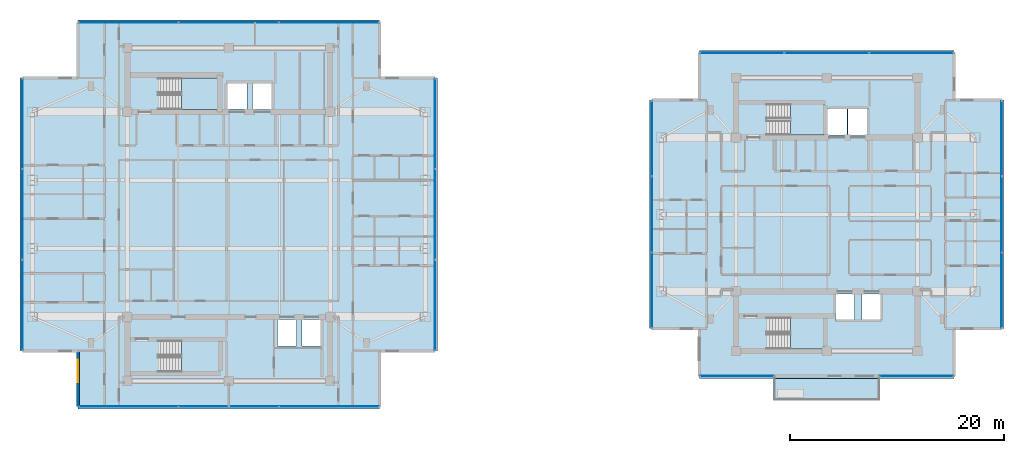
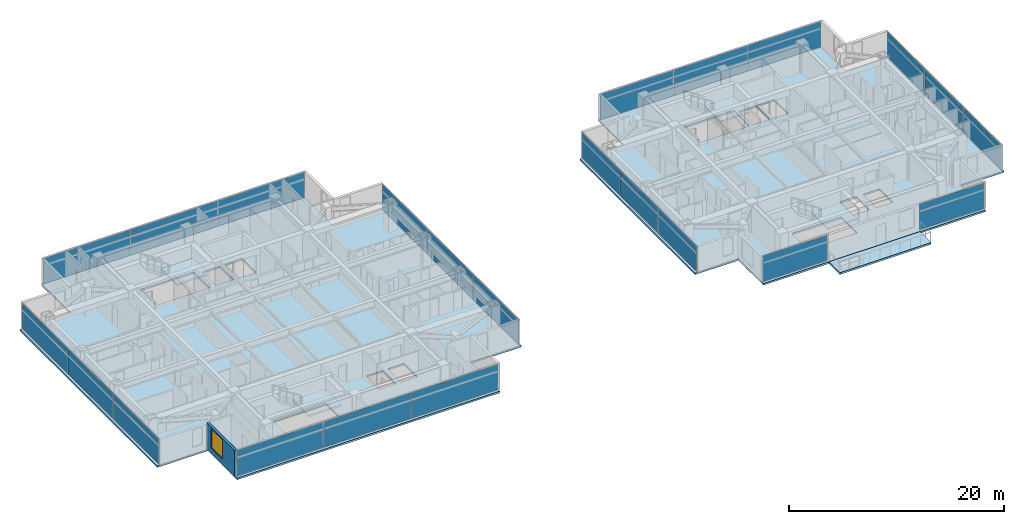
# One storey, part 10 of 23: 23 plates, 7 slabs, 1 wall, 1 window, 1 opening, 13 elements without a shape of their own.
"""IFC4 building model written with IfcOpenShell, lengths in metres."""

from ifc_helpers import new_model, si_unit, direction, frame, frame_2d, origin, origin_2d, place, context, subcontext, project, spatial, polyline, rectangle, outline, extrude, material, layer, layer_set, type_object, element, fill, aggregate, save


model = new_model("IFC4")

# Units and contexts
model_context = context("Model", 3, precision=1e-05, world=origin(), true_north=direction((0.0, 1.0)))
body_context = subcontext(model_context, "Body", "Model", "MODEL_VIEW")
ifc_project = project(units=[si_unit("LENGTHUNIT", "METRE"), si_unit("AREAUNIT", "SQUARE_METRE"), si_unit("VOLUMEUNIT", "CUBIC_METRE"), si_unit("PLANEANGLEUNIT", "RADIAN"), si_unit("MASSUNIT", "GRAM", prefix="KILO")], contexts=[model_context])

# Site, building, storey
site_placement = place(None, origin())
site = spatial("IfcSite", under=ifc_project, at=site_placement, CompositionType="ELEMENT")
building_placement = place(site_placement, origin())
building = spatial("IfcBuilding", under=site, at=building_placement, Name="Mirazonda Arch Towers", CompositionType="ELEMENT")
storey_placement = place(building_placement, frame((0.0, 0.0, 183.64990234375)))
storey = spatial("IfcBuildingStorey", under=building, at=storey_placement, Name="L52", CompositionType="ELEMENT", Elevation=183.64990234375)

# Curtain wall, plates
ifc_material_1 = material(Name="Anodised Aluminium and Low-E Glass", Category="aluminium")
curtain_wall_type = type_object("IfcCurtainWallType", Name="CW-RES-UNIT", PredefinedType="NOTDEFINED", material=ifc_material_1)
curtain_wall_1_placement = place(storey_placement, origin())
curtain_wall_1 = element("IfcCurtainWall", 1, at=curtain_wall_1_placement, inside=storey, type_object=curtain_wall_type, Name="L52 T1 S Facade CW-L52-T1-S", PredefinedType="NOTDEFINED")
ifc_material_2 = material(Name="Insulated Low-E Solar Glass", Category="glass")
ifc_layer_1 = layer(ifc_material_2, 0.0400390625, Name="PAN-CW-RES-UNIT")
ifc_layer_set_1 = layer_set([ifc_layer_1], Name="Insulated Low-E Solar Glass")
plate_type = type_object("IfcPlateType", Name="PAN-CW-RES-UNIT", PredefinedType="CURTAIN_PANEL", material=ifc_layer_set_1)
plate_1_placement = place(storey_placement, frame((29.891357421875, 10.010009765625, 0.0751953125), z_axis=(0.0, 0.0, 1.0), x_axis=(-1.0, 0.0, 0.0)))
plate_1 = element("IfcPlate", 2, at=plate_1_placement, type_object=plate_type, Name="CW-104 panel 1.1", PredefinedType="CURTAIN_PANEL", context=body_context, shape_type="SweptSolid", body=[
    extrude(rectangle(XDim=9.297607421875, YDim=0.0400390625, at=origin_2d()), origin(), (0.0, 0.0, 1.0), 2.8798828125),
])
plate_2_placement = place(storey_placement, frame((20.5, 10.010009765625, 0.0751953125), z_axis=(0.0, 0.0, 1.0), x_axis=(-1.0, 0.0, 0.0)))
plate_2 = element("IfcPlate", 3, at=plate_2_placement, type_object=plate_type, Name="CW-104 panel 2.1", PredefinedType="CURTAIN_PANEL", context=body_context, shape_type="SweptSolid", body=[
    extrude(rectangle(XDim=9.3349609375, YDim=0.0400390625, at=origin_2d()), origin(), (0.0, 0.0, 1.0), 2.8798828125),
])
plate_3_placement = place(storey_placement, frame((11.108642578125, 10.010009765625, 0.0751953125), z_axis=(0.0, 0.0, 1.0), x_axis=(-1.0, 0.0, 0.0)))
plate_3 = element("IfcPlate", 4, at=plate_3_placement, type_object=plate_type, Name="CW-104 panel 3.1", PredefinedType="CURTAIN_PANEL", context=body_context, shape_type="SweptSolid", body=[
    extrude(rectangle(XDim=9.297607421875, YDim=0.0400390625, at=origin_2d()), origin(), (0.0, 0.0, 1.0), 2.8798828125),
])
aggregate(curtain_wall_1, [plate_1, plate_2, plate_3])

curtain_wall_2_placement = place(storey_placement, origin())
curtain_wall_2 = element("IfcCurtainWall", 5, at=curtain_wall_2_placement, inside=storey, type_object=curtain_wall_type, Name="L52 T1 E Facade CW-L52-T1-E", PredefinedType="NOTDEFINED")
plate_4_placement = place(storey_placement, frame((39.830078125, 19.502197265625, 0.0751953125), z_axis=(0.0, 0.0, 1.0), x_axis=(0.0, 1.0, 0.0)))
plate_4 = element("IfcPlate", 6, at=plate_4_placement, type_object=plate_type, Name="CW-104 panel 1.1", PredefinedType="CURTAIN_PANEL", context=body_context, shape_type="SweptSolid", body=[
    extrude(rectangle(XDim=8.404052734375, YDim=0.0400390625, at=origin_2d()), origin(), (0.0, 0.0, 1.0), 2.8798828125),
])
plate_5_placement = place(storey_placement, frame((39.830078125, 28.0, 0.0751953125), z_axis=(0.0, 0.0, 1.0), x_axis=(0.0, 1.0, 0.0)))
plate_5 = element("IfcPlate", 7, at=plate_5_placement, type_object=plate_type, Name="CW-104 panel 2.1", PredefinedType="CURTAIN_PANEL", context=body_context, shape_type="SweptSolid", body=[
    extrude(rectangle(XDim=8.441650390625, YDim=0.0400390625, at=origin_2d()), origin(), (0.0, 0.0, 1.0), 2.8798828125),
])
plate_6_placement = place(storey_placement, frame((39.830078125, 36.497802734375, 0.0751953125), z_axis=(0.0, 0.0, 1.0), x_axis=(0.0, 1.0, 0.0)))
plate_6 = element("IfcPlate", 8, at=plate_6_placement, type_object=plate_type, Name="CW-104 panel 3.1", PredefinedType="CURTAIN_PANEL", context=body_context, shape_type="SweptSolid", body=[
    extrude(rectangle(XDim=8.404052734375, YDim=0.0400390625, at=origin_2d()), origin(), (0.0, 0.0, 1.0), 2.8798828125),
])
aggregate(curtain_wall_2, [plate_4, plate_5, plate_6])

curtain_wall_3_placement = place(storey_placement, origin())
curtain_wall_3 = element("IfcCurtainWall", 9, at=curtain_wall_3_placement, inside=storey, type_object=curtain_wall_type, Name="L52 T1 N Facade CW-L52-T1-N", PredefinedType="NOTDEFINED")
plate_7_placement = place(storey_placement, frame((11.108642578125, 45.989990234375, 0.0751953125), z_axis=(0.0, 0.0, 1.0), x_axis=(1.0, 0.0, 0.0)))
plate_7 = element("IfcPlate", 10, at=plate_7_placement, type_object=plate_type, Name="CW-104 panel 1.1", PredefinedType="CURTAIN_PANEL", context=body_context, shape_type="SweptSolid", body=[
    extrude(rectangle(XDim=9.297607421875, YDim=0.0400390625, at=origin_2d()), origin(), (0.0, 0.0, 1.0), 2.8798828125),
])
plate_8_placement = place(storey_placement, frame((20.5, 45.989990234375, 0.0751953125), z_axis=(0.0, 0.0, 1.0), x_axis=(1.0, 0.0, 0.0)))
plate_8 = element("IfcPlate", 11, at=plate_8_placement, type_object=plate_type, Name="CW-104 panel 2.1", PredefinedType="CURTAIN_PANEL", context=body_context, shape_type="SweptSolid", body=[
    extrude(rectangle(XDim=9.3349609375, YDim=0.0400390625, at=origin_2d()), origin(), (0.0, 0.0, 1.0), 2.8798828125),
])
plate_9_placement = place(storey_placement, frame((29.891357421875, 45.989990234375, 0.0751953125), z_axis=(0.0, 0.0, 1.0), x_axis=(1.0, 0.0, 0.0)))
plate_9 = element("IfcPlate", 12, at=plate_9_placement, type_object=plate_type, Name="CW-104 panel 3.1", PredefinedType="CURTAIN_PANEL", context=body_context, shape_type="SweptSolid", body=[
    extrude(rectangle(XDim=9.297607421875, YDim=0.0400390625, at=origin_2d()), origin(), (0.0, 0.0, 1.0), 2.8798828125),
])
aggregate(curtain_wall_3, [plate_7, plate_8, plate_9])

curtain_wall_4_placement = place(storey_placement, origin())
curtain_wall_4 = element("IfcCurtainWall", 13, at=curtain_wall_4_placement, inside=storey, type_object=curtain_wall_type, Name="L52 T1 W Facade CW-L52-T1-W", PredefinedType="NOTDEFINED")
plate_10_placement = place(storey_placement, frame((1.169921875, 36.497802734375, 0.0751953125), z_axis=(0.0, 0.0, 1.0), x_axis=(0.0, -1.0, 0.0)))
plate_10 = element("IfcPlate", 14, at=plate_10_placement, type_object=plate_type, Name="CW-104 panel 1.1", PredefinedType="CURTAIN_PANEL", context=body_context, shape_type="SweptSolid", body=[
    extrude(rectangle(XDim=8.404052734375, YDim=0.0400390625, at=origin_2d()), origin(), (0.0, 0.0, 1.0), 2.8798828125),
])
plate_11_placement = place(storey_placement, frame((1.169921875, 28.0, 0.0751953125), z_axis=(0.0, 0.0, 1.0), x_axis=(0.0, -1.0, 0.0)))
plate_11 = element("IfcPlate", 15, at=plate_11_placement, type_object=plate_type, Name="CW-104 panel 2.1", PredefinedType="CURTAIN_PANEL", context=body_context, shape_type="SweptSolid", body=[
    extrude(rectangle(XDim=8.441650390625, YDim=0.0400390625, at=origin_2d()), origin(), (0.0, 0.0, 1.0), 2.8798828125),
])
plate_12_placement = place(storey_placement, frame((1.169921875, 19.502197265625, 0.0751953125), z_axis=(0.0, 0.0, 1.0), x_axis=(0.0, -1.0, 0.0)))
plate_12 = element("IfcPlate", 16, at=plate_12_placement, type_object=plate_type, Name="CW-104 panel 3.1", PredefinedType="CURTAIN_PANEL", context=body_context, shape_type="SweptSolid", body=[
    extrude(rectangle(XDim=8.404052734375, YDim=0.0400390625, at=origin_2d()), origin(), (0.0, 0.0, 1.0), 2.8798828125),
])
aggregate(curtain_wall_4, [plate_10, plate_11, plate_12])

# Curtain wall, plate
curtain_wall_5_placement = place(storey_placement, origin())
curtain_wall_5 = element("IfcCurtainWall", 17, at=curtain_wall_5_placement, inside=storey, type_object=curtain_wall_type, Name="L52 Curtain Wall CW-L52-T2-SA", PredefinedType="NOTDEFINED")
plate_13_placement = place(storey_placement, frame((84.913818359375, 12.861572265625, 0.0751953125), z_axis=(0.0, 0.0, 1.0), x_axis=(-1.0, 0.0, 0.0)))
plate_13 = element("IfcPlate", 18, at=plate_13_placement, type_object=plate_type, Name="CW-104 panel 1.1", PredefinedType="CURTAIN_PANEL", context=body_context, shape_type="SweptSolid", body=[
    extrude(rectangle(XDim=6.897705078125, YDim=0.0400390625, at=origin_2d()), origin(), (0.0, 0.0, 1.0), 2.8798828125),
])
aggregate(curtain_wall_5, [plate_13])

curtain_wall_6_placement = place(storey_placement, origin())
curtain_wall_6 = element("IfcCurtainWall", 19, at=curtain_wall_6_placement, inside=storey, type_object=curtain_wall_type, Name="L52 Curtain Wall CW-L52-T2-SB", PredefinedType="NOTDEFINED")
plate_14_placement = place(storey_placement, frame((68.086181640625, 12.861572265625, 0.0751953125), z_axis=(0.0, 0.0, 1.0), x_axis=(-1.0, 0.0, 0.0)))
plate_14 = element("IfcPlate", 20, at=plate_14_placement, type_object=plate_type, Name="CW-104 panel 1.1", PredefinedType="CURTAIN_PANEL", context=body_context, shape_type="SweptSolid", body=[
    extrude(rectangle(XDim=6.897705078125, YDim=0.0400390625, at=origin_2d()), origin(), (0.0, 0.0, 1.0), 2.8798828125),
])
aggregate(curtain_wall_6, [plate_14])

# Curtain wall, plates
curtain_wall_7_placement = place(storey_placement, origin())
curtain_wall_7 = element("IfcCurtainWall", 21, at=curtain_wall_7_placement, inside=storey, type_object=curtain_wall_type, Name="L52 T2 E Facade CW-L52-T2-E", PredefinedType="NOTDEFINED")
plate_15_placement = place(storey_placement, frame((92.87744140625, 20.88623046875, 0.0751953125), z_axis=(0.0, 0.0, 1.0), x_axis=(0.0, 1.0, 0.0)))
plate_15 = element("IfcPlate", 22, at=plate_15_placement, type_object=plate_type, Name="CW-104 panel 1.1", PredefinedType="CURTAIN_PANEL", context=body_context, shape_type="SweptSolid", body=[
    extrude(rectangle(XDim=7.02001953125, YDim=0.0400390625, at=origin_2d()), origin(), (0.0, 0.0, 1.0), 2.8798828125),
])
plate_16_placement = place(storey_placement, frame((92.87744140625, 28.0, 0.0751953125), z_axis=(0.0, 0.0, 1.0), x_axis=(0.0, 1.0, 0.0)))
plate_16 = element("IfcPlate", 23, at=plate_16_placement, type_object=plate_type, Name="CW-104 panel 2.1", PredefinedType="CURTAIN_PANEL", context=body_context, shape_type="SweptSolid", body=[
    extrude(rectangle(XDim=7.0576171875, YDim=0.0400390625, at=origin_2d()), origin(), (0.0, 0.0, 1.0), 2.8798828125),
])
plate_17_placement = place(storey_placement, frame((92.87744140625, 35.11376953125, 0.0751953125), z_axis=(0.0, 0.0, 1.0), x_axis=(0.0, 1.0, 0.0)))
plate_17 = element("IfcPlate", 24, at=plate_17_placement, type_object=plate_type, Name="CW-104 panel 3.1", PredefinedType="CURTAIN_PANEL", context=body_context, shape_type="SweptSolid", body=[
    extrude(rectangle(XDim=7.02001953125, YDim=0.0400390625, at=origin_2d()), origin(), (0.0, 0.0, 1.0), 2.8798828125),
])
aggregate(curtain_wall_7, [plate_15, plate_16, plate_17])

curtain_wall_8_placement = place(storey_placement, origin())
curtain_wall_8 = element("IfcCurtainWall", 25, at=curtain_wall_8_placement, inside=storey, type_object=curtain_wall_type, Name="L52 T2 N Facade CW-L52-T2-N", PredefinedType="NOTDEFINED")
plate_18_placement = place(storey_placement, frame((68.560302734375, 43.138427734375, 0.0751953125), z_axis=(0.0, 0.0, 1.0), x_axis=(1.0, 0.0, 0.0)))
plate_18 = element("IfcPlate", 26, at=plate_18_placement, type_object=plate_type, Name="CW-104 panel 1.1", PredefinedType="CURTAIN_PANEL", context=body_context, shape_type="SweptSolid", body=[
    extrude(rectangle(XDim=7.845947265625, YDim=0.0400390625, at=origin_2d()), origin(), (0.0, 0.0, 1.0), 2.8798828125),
])
plate_19_placement = place(storey_placement, frame((76.5, 43.138427734375, 0.0751953125), z_axis=(0.0, 0.0, 1.0), x_axis=(1.0, 0.0, 0.0)))
plate_19 = element("IfcPlate", 27, at=plate_19_placement, type_object=plate_type, Name="CW-104 panel 2.1", PredefinedType="CURTAIN_PANEL", context=body_context, shape_type="SweptSolid", body=[
    extrude(rectangle(XDim=7.883544921875, YDim=0.0400390625, at=origin_2d()), origin(), (0.0, 0.0, 1.0), 2.8798828125),
])
plate_20_placement = place(storey_placement, frame((84.439697265625, 43.138427734375, 0.0751953125), z_axis=(0.0, 0.0, 1.0), x_axis=(1.0, 0.0, 0.0)))
plate_20 = element("IfcPlate", 28, at=plate_20_placement, type_object=plate_type, Name="CW-104 panel 3.1", PredefinedType="CURTAIN_PANEL", context=body_context, shape_type="SweptSolid", body=[
    extrude(rectangle(XDim=7.845947265625, YDim=0.0400390625, at=origin_2d()), origin(), (0.0, 0.0, 1.0), 2.8798828125),
])
aggregate(curtain_wall_8, [plate_18, plate_19, plate_20])

curtain_wall_9_placement = place(storey_placement, origin())
curtain_wall_9 = element("IfcCurtainWall", 29, at=curtain_wall_9_placement, inside=storey, type_object=curtain_wall_type, Name="L52 T2 W Facade CW-L52-T2-W", PredefinedType="NOTDEFINED")
plate_21_placement = place(storey_placement, frame((60.12255859375, 35.11376953125, 0.0751953125), z_axis=(0.0, 0.0, 1.0), x_axis=(0.0, -1.0, 0.0)))
plate_21 = element("IfcPlate", 30, at=plate_21_placement, type_object=plate_type, Name="CW-104 panel 1.1", PredefinedType="CURTAIN_PANEL", context=body_context, shape_type="SweptSolid", body=[
    extrude(rectangle(XDim=7.02001953125, YDim=0.0400390625, at=origin_2d()), origin(), (0.0, 0.0, 1.0), 2.8798828125),
])
plate_22_placement = place(storey_placement, frame((60.12255859375, 28.0, 0.0751953125), z_axis=(0.0, 0.0, 1.0), x_axis=(0.0, -1.0, 0.0)))
plate_22 = element("IfcPlate", 31, at=plate_22_placement, type_object=plate_type, Name="CW-104 panel 2.1", PredefinedType="CURTAIN_PANEL", context=body_context, shape_type="SweptSolid", body=[
    extrude(rectangle(XDim=7.0576171875, YDim=0.0400390625, at=origin_2d()), origin(), (0.0, 0.0, 1.0), 2.8798828125),
])
plate_23_placement = place(storey_placement, frame((60.12255859375, 20.88623046875, 0.0751953125), z_axis=(0.0, 0.0, 1.0), x_axis=(0.0, -1.0, 0.0)))
plate_23 = element("IfcPlate", 32, at=plate_23_placement, type_object=plate_type, Name="CW-104 panel 3.1", PredefinedType="CURTAIN_PANEL", context=body_context, shape_type="SweptSolid", body=[
    extrude(rectangle(XDim=7.02001953125, YDim=0.0400390625, at=origin_2d()), origin(), (0.0, 0.0, 1.0), 2.8798828125),
])
aggregate(curtain_wall_9, [plate_21, plate_22, plate_23])

# Stair, slab
ifc_material_3 = material(Name="Concrete C40/50", Category="concrete")
stair_type = type_object("IfcStairType", Name="STAIR-CORE-1400", PredefinedType="HALF_TURN_STAIR", material=ifc_material_3)
stair_1_placement = place(storey_placement, origin())
stair_1 = element("IfcStair", 33, at=stair_1_placement, inside=storey, type_object=stair_type, Name="L52 Protected Exit Stair ST-T1N", PredefinedType="HALF_TURN_STAIR")
ifc_layer_2 = layer(ifc_material_3, 0.18994140625, Name="SLAB-LANDING-190")
ifc_layer_set_2 = layer_set([ifc_layer_2], Name="Concrete C40/50")
slab_type_1 = type_object("IfcSlabType", Name="SLAB-LANDING-190", PredefinedType="LANDING", material=ifc_layer_set_2)
slab_1_placement = place(storey_placement, frame((0.0, 0.0, 1.425048828125)))
slab_1 = element("IfcSlab", 34, at=slab_1_placement, type_object=slab_type_1, Name="ST-T1N landing 1", PredefinedType="LANDING", context=body_context, shape_type="SweptSolid", body=[
    extrude(outline(polyline([(16.090087890625, 37.820068359375), (19.60009765625, 37.820068359375), (19.60009765625, 40.760009765625), (16.090087890625, 40.760009765625), (16.090087890625, 37.820068359375)])), origin(), (0.0, 0.0, 1.0), 0.199951171875),
])
aggregate(stair_1, [slab_1])

stair_2_placement = place(storey_placement, origin())
stair_2 = element("IfcStair", 35, at=stair_2_placement, inside=storey, type_object=stair_type, Name="L52 Protected Exit Stair ST-T1S", PredefinedType="HALF_TURN_STAIR")
slab_2_placement = place(storey_placement, frame((0.0, 0.0, 1.425048828125)))
slab_2 = element("IfcSlab", 36, at=slab_2_placement, type_object=slab_type_1, Name="ST-T1S landing 1", PredefinedType="LANDING", context=body_context, shape_type="SweptSolid", body=[
    extrude(outline(polyline([(16.090087890625, 13.25), (19.60009765625, 13.25), (19.60009765625, 16.18994140625), (16.090087890625, 16.18994140625), (16.090087890625, 13.25)])), origin(), (0.0, 0.0, 1.0), 0.199951171875),
])
aggregate(stair_2, [slab_2])

stair_3_placement = place(storey_placement, origin())
stair_3 = element("IfcStair", 37, at=stair_3_placement, inside=storey, type_object=stair_type, Name="L52 Protected Exit Stair ST-T2N", PredefinedType="HALF_TURN_STAIR")
slab_3_placement = place(storey_placement, frame((0.0, 0.0, 1.425048828125)))
slab_3 = element("IfcSlab", 38, at=slab_3_placement, type_object=slab_type_1, Name="ST-T2N landing 1", PredefinedType="LANDING", context=body_context, shape_type="SweptSolid", body=[
    extrude(outline(polyline([(73.090087890625, 35.419921875), (76.22998046875, 35.419921875), (76.22998046875, 38.360107421875), (73.090087890625, 38.360107421875), (73.090087890625, 35.419921875)])), origin(), (0.0, 0.0, 1.0), 0.199951171875),
])
aggregate(stair_3, [slab_3])

stair_4_placement = place(storey_placement, origin())
stair_4 = element("IfcStair", 39, at=stair_4_placement, inside=storey, type_object=stair_type, Name="L52 Protected Exit Stair ST-T2S", PredefinedType="HALF_TURN_STAIR")
slab_4_placement = place(storey_placement, frame((0.0, 0.0, 1.425048828125)))
slab_4 = element("IfcSlab", 40, at=slab_4_placement, type_object=slab_type_1, Name="ST-T2S landing 1", PredefinedType="LANDING", context=body_context, shape_type="SweptSolid", body=[
    extrude(outline(polyline([(73.090087890625, 15.419921875), (76.22998046875, 15.419921875), (76.22998046875, 18.360107421875), (73.090087890625, 18.360107421875), (73.090087890625, 15.419921875)])), origin(), (0.0, 0.0, 1.0), 0.199951171875),
])
aggregate(stair_4, [slab_4])

# Slabs
ifc_layer_3 = layer(ifc_material_3, 0.2099609375, Name="SLAB-TERRACE-210")
ifc_layer_set_3 = layer_set([ifc_layer_3], Name="Concrete C40/50")
slab_type_2 = type_object("IfcSlabType", Name="SLAB-TERRACE-210", PredefinedType="FLOOR", material=ifc_layer_set_3)
slab_5_placement = place(storey_placement, frame((0.0, 0.0, -0.2099609375)))
element("IfcSlab", 41, at=slab_5_placement, inside=storey, type_object=slab_type_2, Name="L52 T2 Spiralling Sky-Terrace Balcony Slab", PredefinedType="FLOOR", context=body_context, shape_type="SweptSolid", body=[
    extrude(outline(polyline([(71.60009765625, 10.591552734375), (81.39990234375, 10.591552734375), (81.39990234375, 12.651611328125), (71.60009765625, 12.651611328125), (71.60009765625, 10.591552734375)])), origin(), (0.0, 0.0, 1.0), 0.2099609375),
])
ifc_layer_4 = layer(ifc_material_3, 0.199951171875, Name="SLAB-TWR-200")
ifc_layer_set_4 = layer_set([ifc_layer_4], Name="Concrete C40/50")
slab_type_3 = type_object("IfcSlabType", Name="SLAB-TWR-200", PredefinedType="FLOOR", material=ifc_layer_set_4)
slab_6_placement = place(storey_placement, frame((0.0, 0.0, -0.199951171875)))
element("IfcSlab", 42, at=slab_6_placement, inside=storey, type_object=slab_type_3, Name="L52 Tower 1 Floor Slab", PredefinedType="FLOOR", context=body_context, shape_type="SweptSolid", body=[
    extrude(outline(polyline([(6.385009765625, 9.7900390625), (34.614990234375, 9.7900390625), (34.614990234375, 15.22509765625), (40.050048828125, 15.22509765625), (40.050048828125, 40.77490234375), (34.614990234375, 40.77490234375), (34.614990234375, 46.2099609375), (6.385009765625, 46.2099609375), (6.385009765625, 40.77490234375), (0.949951171875, 40.77490234375), (0.949951171875, 15.22509765625), (6.385009765625, 15.22509765625), (6.385009765625, 9.7900390625)]), holes=[polyline([(27.360107421875, 18.139892578125), (29.139892578125, 18.139892578125), (29.139892578125, 15.659912109375), (27.360107421875, 15.659912109375), (27.360107421875, 18.139892578125)]), polyline([(25.06005859375, 18.139892578125), (26.840087890625, 18.139892578125), (26.840087890625, 15.659912109375), (25.06005859375, 15.659912109375), (25.06005859375, 18.139892578125)]), polyline([(22.7099609375, 40.389892578125), (24.590087890625, 40.389892578125), (24.590087890625, 37.81005859375), (22.7099609375, 37.81005859375), (22.7099609375, 40.389892578125)]), polyline([(20.31005859375, 37.860107421875), (20.31005859375, 40.340087890625), (22.18994140625, 40.340087890625), (22.18994140625, 37.860107421875), (20.31005859375, 37.860107421875)]), polyline([(19.60009765625, 13.25), (13.925048828125, 13.25), (13.925048828125, 16.18994140625), (19.60009765625, 16.18994140625), (19.60009765625, 13.25)]), polyline([(13.925048828125, 37.820068359375), (13.925048828125, 40.760009765625), (19.60009765625, 40.760009765625), (19.60009765625, 37.820068359375), (13.925048828125, 37.820068359375)])]), origin(), (0.0, 0.0, 1.0), 0.199951171875),
])
slab_7_placement = place(storey_placement, frame((0.0, 0.0, -0.199951171875)))
element("IfcSlab", 43, at=slab_7_placement, inside=storey, type_object=slab_type_3, Name="L52 Tower 2 Floor Slab", PredefinedType="FLOOR", context=body_context, shape_type="SweptSolid", body=[
    extrude(outline(polyline([(64.562255859375, 12.6416015625), (88.437744140625, 12.6416015625), (88.437744140625, 17.30126953125), (93.097412109375, 17.30126953125), (93.097412109375, 38.69873046875), (88.437744140625, 38.69873046875), (88.437744140625, 43.3583984375), (64.562255859375, 43.3583984375), (64.562255859375, 38.69873046875), (59.902587890625, 38.69873046875), (59.902587890625, 17.30126953125), (64.562255859375, 17.30126953125), (64.562255859375, 12.6416015625)]), holes=[polyline([(79.81005859375, 20.5400390625), (81.590087890625, 20.5400390625), (81.590087890625, 18.06005859375), (79.81005859375, 18.06005859375), (79.81005859375, 20.5400390625)]), polyline([(78.47998046875, 37.989990234375), (80.360107421875, 37.989990234375), (80.360107421875, 35.409912109375), (78.47998046875, 35.409912109375), (78.47998046875, 37.989990234375)]), polyline([(77.31005859375, 20.5400390625), (79.090087890625, 20.5400390625), (79.090087890625, 18.06005859375), (77.31005859375, 18.06005859375), (77.31005859375, 20.5400390625)]), polyline([(76.510009765625, 35.4599609375), (76.510009765625, 37.93994140625), (78.389892578125, 37.93994140625), (78.389892578125, 35.4599609375), (76.510009765625, 35.4599609375)]), polyline([(76.22998046875, 15.419921875), (70.925048828125, 15.419921875), (70.925048828125, 18.360107421875), (76.22998046875, 18.360107421875), (76.22998046875, 15.419921875)]), polyline([(70.925048828125, 35.419921875), (70.925048828125, 38.360107421875), (76.22998046875, 38.360107421875), (76.22998046875, 35.419921875), (70.925048828125, 35.419921875)])]), origin(), (0.0, 0.0, 1.0), 0.199951171875),
])

# Wall, opening, window
ifc_material_4 = material(Name="Precast Concrete C40/50", Category="concrete")
ifc_layer_5 = layer(ifc_material_4, 0.280029296875, Name="WALL-EXT-WALL-280")
ifc_layer_set_5 = layer_set([ifc_layer_5], Name="Precast Concrete C40/50")
wall_type = type_object("IfcWallType", Name="WALL-EXT-WALL-280", PredefinedType="SOLIDWALL", material=ifc_layer_set_5)
wall_placement = place(storey_placement, frame((6.385009765625, 15.22509765625, 0.0), z_axis=(0.0, 0.0, 1.0), x_axis=(0.0, -1.0, 0.0)))
wall = element("IfcWall", 44, at=wall_placement, inside=storey, type_object=wall_type, Name="L52 T1 Notched SW Corner Wall WL-L52-T1-CSW", PredefinedType="SOLIDWALL", context=body_context, shape_type="SweptSolid", body=[
    extrude(rectangle(XDim=5.215087890625, YDim=0.280029296875, at=frame_2d((2.607421875, 0.0))), origin(), (0.0, 0.0, 1.0), 3.030029296875),
])
opening_placement = place(wall_placement, frame((0.85009765625, 0.0, 0.679931640625)))
opening = element("IfcOpeningElement", 45, at=opening_placement, cuts=wall, Name="Opening WN-117", PredefinedType="OPENING", context=body_context, shape_type="SweptSolid", body=[
    extrude(rectangle(XDim=2.10009765625, YDim=2.199951171875, at=frame_2d((1.050048828125, 1.10009765625))), frame((0.0, 0.14990234375, 0.0), z_axis=(0.0, -1.0, 0.0), x_axis=(1.0, 0.0, 0.0)), (0.0, 0.0, 1.0), 0.300048828125),
])
window_type = type_object("IfcWindowType", Name="WIN-RES-2100x2200", PartitioningType="SINGLE_PANEL", PredefinedType="WINDOW", material=ifc_material_2)
window_placement = place(opening_placement, origin())
window = element("IfcWindow", 46, at=window_placement, inside=storey, type_object=window_type, Name="L52 Punched Facade Window WN-L52-T1-CSW", OverallHeight=2.199951171875, OverallWidth=2.10009765625, PartitioningType="SINGLE_PANEL", PredefinedType="WINDOW", context=body_context, shape_type="SweptSolid", body=[
    extrude(rectangle(XDim=2.10009765625, YDim=2.199951171875, at=frame_2d((1.050048828125, 1.10009765625))), frame((0.0, 0.030029296875, 0.0), z_axis=(0.0, -1.0, 0.0), x_axis=(1.0, 0.0, 0.0)), (0.0, 0.0, 1.0), 0.06005859375),
])
fill(opening, window)

save(model, "model.ifc")
